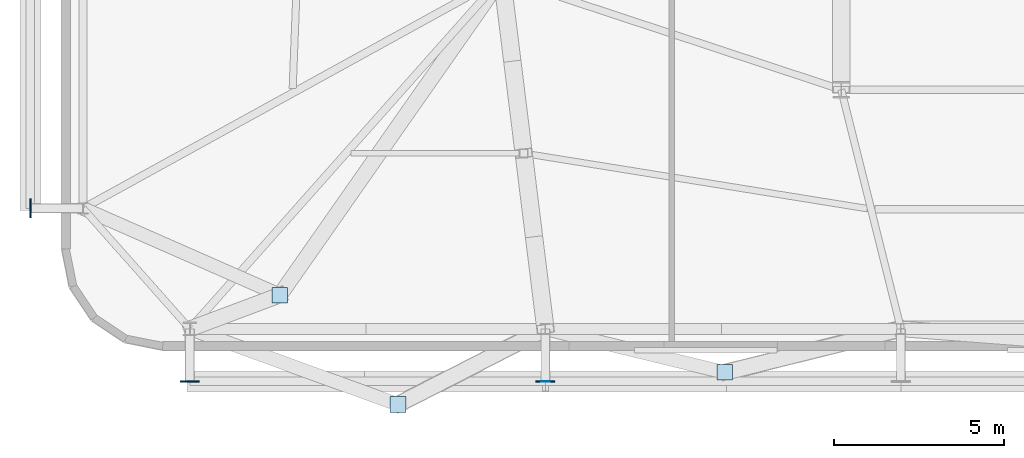
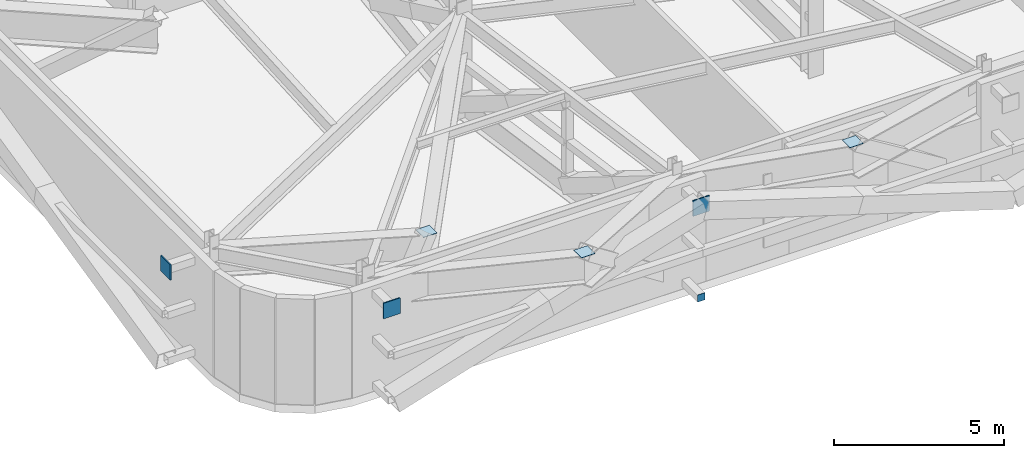
# One storey, part 13 of 24: 7 plates.
"""IFC4 building model written with IfcOpenShell, lengths in metres."""

from ifc_helpers import new_model, si_unit, direction, frame, origin, origin_2d, place, context, subcontext, project, spatial, rectangle, extrude, source, transform, mapped, material, layer, layer_set, type_object, element, save


model = new_model("IFC4")

# Units and contexts
model_context = context("Model", 3, precision=1e-05, world=origin(), true_north=direction((0.0, 1.0)))
body_context = subcontext(model_context, "Body", "Model", "MODEL_VIEW")
ifc_project = project(units=[si_unit("LENGTHUNIT", "METRE"), si_unit("AREAUNIT", "SQUARE_METRE"), si_unit("VOLUMEUNIT", "CUBIC_METRE"), si_unit("PLANEANGLEUNIT", "RADIAN"), si_unit("MASSUNIT", "GRAM", prefix="KILO")], contexts=[model_context])

# Site, building, storey
site_placement = place(None, origin())
site = spatial("IfcSite", under=ifc_project, at=site_placement, CompositionType="ELEMENT")
building_placement = place(site_placement, origin())
building = spatial("IfcBuilding", under=site, at=building_placement, Name="Taldren Reach Tower", CompositionType="ELEMENT")
storey_placement = place(building_placement, frame((0.0, 0.0, 60.89990234375)))
storey = spatial("IfcBuildingStorey", under=building, at=storey_placement, Name="L18", CompositionType="ELEMENT", Elevation=60.89990234375)

# Plates
ifc_material_1 = material(Name="Steel Gr 450 (C450L0)", Category="steel")
ifc_layer_1 = layer(ifc_material_1, 0.0400390625)
ifc_layer_set_1 = layer_set([ifc_layer_1], Name="Steel Gr 450 (C450L0)")
plate_type_1 = type_object("IfcPlateType", Name="PL-GUSSET-40", PredefinedType="SHEET", material=ifc_layer_set_1)
shared_shape_1 = source(origin(), body_context, "Body", "SweptSolid", [
    extrude(rectangle(XDim=0.56005859375, YDim=0.0400390625, at=origin_2d()), origin(), (0.0, 0.0, 1.0), 0.56005859375),
])
for number, where, z_axis, x_axis, name in (
    (1, (8.800048828125, 0.60009765625, 3.219970703125), (0.0, 0.0, 1.0), (1.0, 0.0, 0.0), "Exoskeleton star-node gusset plate B1-S1 L18"),
    (2, (19.280029296875, 0.60009765625, 3.219970703125), (0.0, 0.0, 1.0), (1.0, 0.0, 0.0), "Exoskeleton star-node gusset plate B1-S2 L18"),
    (3, (4.10009765625, 5.699951171875, 3.219970703125), (0.0, 0.0, 1.0), (0.0, 1.0, 0.0), "Exoskeleton star-node gusset plate B1-W1 L18"),
):
    element("IfcPlate", number, at=place(storey_placement, frame(where, z_axis=z_axis, x_axis=x_axis)), inside=storey, type_object=plate_type_1, Name=name, PredefinedType="SHEET", context=body_context, shape_type="MappedRepresentation", body=[
        mapped(shared_shape_1, transform((0.0, 0.0, 0.0), scale=1.0)),
    ])
ifc_material_2 = material(Name="Steel Gr 350 (C350L0)", Category="steel")
ifc_layer_2 = layer(ifc_material_2, 0.011962890625)
ifc_layer_set_2 = layer_set([ifc_layer_2], Name="Steel Gr 350 (C350L0)")
plate_type_2 = type_object("IfcPlateType", Name="PL-CAP-250", PredefinedType="SHEET", material=ifc_layer_set_2)
shared_shape_2 = source(origin(), body_context, "Body", "SweptSolid", [
    extrude(rectangle(XDim=0.25, YDim=0.011962890625, at=origin_2d()), origin(), (0.0, 0.0, 1.0), 0.25),
])
plate_placement = place(storey_placement, frame((19.280029296875, 0.593994140625, 0.09521484375), z_axis=(0.0, 0.0, 1.0), x_axis=(1.0, 0.0, 0.0)))
element("IfcPlate", 4, at=plate_placement, inside=storey, type_object=plate_type_2, Name="Tie strut end cap plate B1-S2 L18", PredefinedType="SHEET", context=body_context, shape_type="MappedRepresentation", body=[
    mapped(shared_shape_2, transform((0.0, 0.0, 0.0), scale=1.0)),
])
ifc_layer_3 = layer(ifc_material_1, 0.011962890625)
ifc_layer_set_3 = layer_set([ifc_layer_3], Name="Steel Gr 450 (C450L0)")
plate_type_3 = type_object("IfcPlateType", Name="PL-CAP-460", PredefinedType="SHEET", material=ifc_layer_set_3)
shared_shape_3 = source(origin(), body_context, "Body", "SweptSolid", [
    extrude(rectangle(XDim=0.4599609375, YDim=0.4599609375, at=origin_2d()), origin(), (0.0, 0.0, 1.0), 0.011962890625),
])
for number, where, z_axis, x_axis, name in (
    (5, (14.93408203125, -0.079833984375, 3.76806640625), (0.0, 0.0, 1.0), (1.0, 0.0, 0.0), "Transfer strut end cap plate TS-B2-S1 L18"),
    (6, (24.56787109375, 0.86474609375, 3.76806640625), (0.0, 0.0, 1.0), (1.0, 0.0, 0.0), "Transfer strut end cap plate TS-B2-S2 L18"),
    (7, (11.452880859375, 3.145751953125, 3.76806640625), (0.0, 0.0, 1.0), (1.0, 0.0, 0.0), "Transfer strut end cap plate TS-B2-W1 L18"),
):
    element("IfcPlate", number, at=place(storey_placement, frame(where, z_axis=z_axis, x_axis=x_axis)), inside=storey, type_object=plate_type_3, Name=name, PredefinedType="SHEET", context=body_context, shape_type="MappedRepresentation", body=[
        mapped(shared_shape_3, transform((0.0, 0.0, 0.0), scale=1.0)),
    ])

save(model, "model.ifc")
